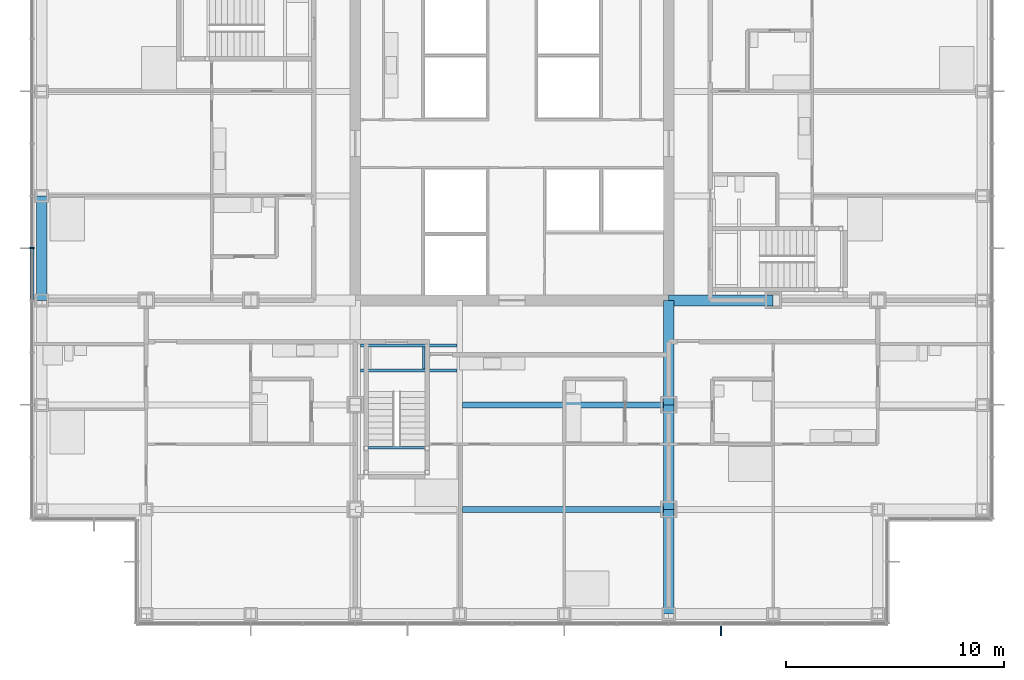
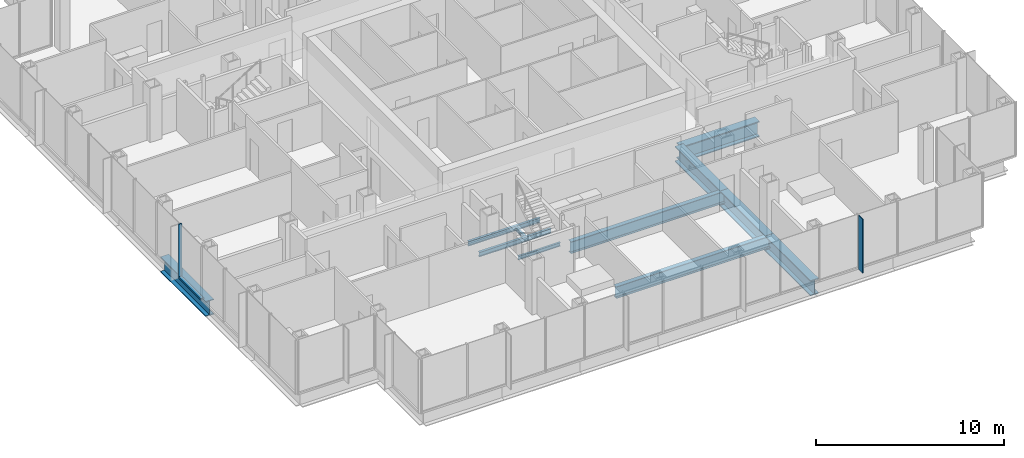
# One storey, part 7 of 21: 11 beams, 3 members, 2 elements without a shape of their own.
"""IFC4 building model written with IfcOpenShell, lengths in metres."""

import ifcopenshell
import ifcopenshell.guid

model = None  # the IFC model being written
_history = None  # IfcOwnerHistory: only IFC2X3 demands one
_inside = {}  # id of a spatial element -> (the spatial element, [elements in it])
_under = {}  # id of a project, library or spatial element -> (it, [spatial elements below it])
_declared = {}  # id of a project -> (the project, [libraries it declares])
_typed = {}  # id of a type object -> (the type object, [elements of that type])
_made_of = {}  # id of a material, layer set ... -> (it, [elements and type objects made of it])


def new_model(schema):
    """Start an empty IFC model of exactly this schema.

    Asked for "IFC4X3", IfcOpenShell would pick the latest addendum, in which some entities
    have other attributes; the version numbers below select the first issue.
    IFC2X3 requires an IfcOwnerHistory on every rooted entity: one is made here for all.
    """
    global model, _history
    if schema == "IFC4X3":
        model = ifcopenshell.file(schema_version=(4, 3, 0, 0))
    else:
        model = ifcopenshell.file(schema=schema)
    _inside.clear()
    _under.clear()
    _declared.clear()
    _typed.clear()
    _made_of.clear()
    _history = None
    if model.schema == "IFC2X3":
        org = make("IfcOrganization", Name="unknown")
        user = make(
            "IfcPersonAndOrganization",
            ThePerson=make("IfcPerson", FamilyName="unknown"),
            TheOrganization=org,
        )
        app = make(
            "IfcApplication",
            ApplicationDeveloper=org,
            Version="unknown",
            ApplicationFullName="unknown",
            ApplicationIdentifier="unknown",
        )
        _history = make(
            "IfcOwnerHistory",
            OwningUser=user,
            OwningApplication=app,
            ChangeAction="ADDED",
            CreationDate=0,
        )
    return model


def make(cls, **values):
    """One entity of the class cls with the attributes given. An attribute that is None is left unset."""
    return model.create_entity(
        cls, **{name: value for name, value in values.items() if value is not None}
    )


def rooted(cls, **values):
    """An entity with a GlobalId (a new one), such as an element, a storey or a relation."""
    return make(cls, GlobalId=ifcopenshell.guid.new(), OwnerHistory=_history, **values)


def si_unit(unit_type, name, prefix=None):
    """IfcSIUnit, for example si_unit("LENGTHUNIT", "METRE", prefix="MILLI")."""
    return make("IfcSIUnit", UnitType=unit_type, Prefix=prefix, Name=name)


def assignment(units):
    """IfcUnitAssignment: the units of a project."""
    return None if units is None else make("IfcUnitAssignment", Units=units)


def point(xyz):
    """IfcCartesianPoint."""
    return None if xyz is None else make("IfcCartesianPoint", Coordinates=xyz)


def direction(xyz):
    """IfcDirection."""
    return None if xyz is None else make("IfcDirection", DirectionRatios=xyz)


def frame(location, z_axis=None, x_axis=None):
    """IfcAxis2Placement3D, a coordinate frame: its origin and axes. An axis left out is left unset."""
    return make(
        "IfcAxis2Placement3D",
        Location=point(location),
        Axis=direction(z_axis),
        RefDirection=direction(x_axis),
    )


def frame_2d(location, x_axis=None):
    """IfcAxis2Placement2D, a coordinate frame in the plane: its origin and x axis."""
    return make(
        "IfcAxis2Placement2D", Location=point(location), RefDirection=direction(x_axis)
    )


def origin():
    """The frame at (0, 0, 0) with its axes left unset."""
    return frame((0.0, 0.0, 0.0))


def origin_2d():
    """The frame at (0, 0) in the plane with its x axis left unset."""
    return frame_2d((0.0, 0.0))


def place(relative_to, where):
    """IfcLocalPlacement: puts the frame where relative to a parent placement (None: the world)."""
    return make(
        "IfcLocalPlacement", PlacementRelTo=relative_to, RelativePlacement=where
    )


def context(
    kind, dimensions, precision=None, world=None, true_north=None, identifier=None
):
    """IfcGeometricRepresentationContext, for example the 3D "Model" context."""
    return make(
        "IfcGeometricRepresentationContext",
        ContextIdentifier=identifier,
        ContextType=kind,
        CoordinateSpaceDimension=dimensions,
        Precision=precision,
        WorldCoordinateSystem=world,
        TrueNorth=true_north,
    )


def subcontext(parent, identifier, kind, view, scale=None):
    """IfcGeometricRepresentationSubContext, for example "Body" below "Model"."""
    return make(
        "IfcGeometricRepresentationSubContext",
        ContextIdentifier=identifier,
        ContextType=kind,
        ParentContext=parent,
        TargetScale=scale,
        TargetView=view,
    )


def project(units=None, contexts=None):
    """IfcProject with its units and contexts."""
    return rooted(
        "IfcProject",
        Name="project",
        RepresentationContexts=contexts,
        UnitsInContext=assignment(units),
    )


def spatial(cls, under=None, at=None, **own):
    """A site, building, storey or space (cls), placed at a placement, below another one or the project."""
    s = rooted(cls, ObjectPlacement=at, **own)
    if under is not None:
        _under.setdefault(under.id(), (under, []))[1].append(s)
    return s


def profile(cls, at=None, kind="AREA", **sizes):
    """A parametric profile (cls). Its sizes go by their IFC names, for example OverallWidth=200.0."""
    return make(cls, ProfileType=kind, Position=at, **sizes)


def rectangle(**sizes):
    """IfcRectangleProfileDef."""
    return profile("IfcRectangleProfileDef", **sizes)


def i_section(**sizes):
    """IfcIShapeProfileDef."""
    return profile("IfcIShapeProfileDef", **sizes)


def extrude(swept, where, along, depth):
    """IfcExtrudedAreaSolid: the profile swept, set in the frame where, extruded along a direction by depth."""
    return make(
        "IfcExtrudedAreaSolid",
        SweptArea=swept,
        Position=where,
        ExtrudedDirection=direction(along),
        Depth=depth,
    )


def shape(context_of_items, identifier, shape_type, items):
    """IfcShapeRepresentation: the items that make up one representation, for example the "Body"."""
    return make(
        "IfcShapeRepresentation",
        ContextOfItems=context_of_items,
        RepresentationIdentifier=identifier,
        RepresentationType=shape_type,
        Items=items,
    )


def material(Name=None, Category=None):
    """IfcMaterial."""
    return make("IfcMaterial", Name=Name, Category=Category)


def material_profile(
    of_material, cross_section, Name=None, Category=None, Priority=None
):
    """IfcMaterialProfile: a cross section and its material."""
    return make(
        "IfcMaterialProfile",
        Name=Name,
        Material=of_material,
        Profile=cross_section,
        Priority=Priority,
        Category=Category,
    )


def profile_set(profiles, Name=None, composite=None):
    """IfcMaterialProfileSet."""
    return make(
        "IfcMaterialProfileSet",
        Name=Name,
        MaterialProfiles=profiles,
        CompositeProfile=composite,
    )


def made_of(thing, what):
    """Note that an element or type object is made of a material, layer set ...; save() writes the relation."""
    if what is not None:
        _made_of.setdefault(what.id(), (what, []))[1].append(thing)
    return thing


def type_object(cls, material=None, **own):
    """A type object (cls), such as IfcWallType, which elements share."""
    return made_of(rooted(cls, **own), material)


def element(
    cls,
    number,
    at=None,
    inside=None,
    cuts=None,
    type_object=None,
    material=None,
    context=None,
    identifier="Body",
    shape_type=None,
    held_by="IfcProductDefinitionShape",
    body=None,
    shapes=None,
    **own,
):
    """One element of the class cls, such as IfcWall. Its Tag is "e" and its number.

    at: its placement. inside: the storey or other place that contains it. cuts: it is an
    opening in that element (IfcRelVoidsElement). A single representation is given by context,
    identifier, shape_type and body (its items); several are given by shapes. held_by: the class
    of the entity that holds the representations. save() writes the other relations.
    """
    e = rooted(cls, Tag="e%d" % number, ObjectPlacement=at, **own)
    if body is not None:
        shapes = [shape(context, identifier, shape_type, body)]
    if shapes is not None:
        e.Representation = make(held_by, Representations=shapes)
    if inside is not None:
        _inside.setdefault(inside.id(), (inside, []))[1].append(e)
    if cuts is not None:
        rooted(
            "IfcRelVoidsElement", RelatingBuildingElement=cuts, RelatedOpeningElement=e
        )
    if type_object is not None:
        _typed.setdefault(type_object.id(), (type_object, []))[1].append(e)
    return made_of(e, material)


def aggregate(whole, parts):
    """IfcRelAggregates: a whole, such as a stair, and the parts it consists of."""
    return rooted("IfcRelAggregates", RelatingObject=whole, RelatedObjects=parts)


def save(model, path):
    """Write the relations noted so far, then the file.

    IfcRelAggregates (storeys below a building ...), IfcRelContainedInSpatialStructure (elements
    in a storey), IfcRelDefinesByType, IfcRelAssociatesMaterial and IfcRelDeclares: one each for
    every whole, place, type object, material and project.
    """
    for whole, parts in _under.values():
        aggregate(whole, parts)
    for where, things in _inside.values():
        rooted(
            "IfcRelContainedInSpatialStructure",
            RelatedElements=things,
            RelatingStructure=where,
        )
    for kind, things in _typed.values():
        rooted("IfcRelDefinesByType", RelatedObjects=things, RelatingType=kind)
    for what, things in _made_of.values():
        rooted("IfcRelAssociatesMaterial", RelatedObjects=things, RelatingMaterial=what)
    for by, libraries in _declared.values():
        rooted("IfcRelDeclares", RelatingContext=by, RelatedDefinitions=libraries)
    model.write(path)


model = new_model("IFC4")

# Units and contexts
model_context = context("Model", 3, precision=1e-05, world=origin(), true_north=direction((0.0, 1.0)))
body_context = subcontext(model_context, "Body", "Model", "MODEL_VIEW")
ifc_project = project(units=[si_unit("LENGTHUNIT", "METRE"), si_unit("AREAUNIT", "SQUARE_METRE"), si_unit("VOLUMEUNIT", "CUBIC_METRE"), si_unit("PLANEANGLEUNIT", "RADIAN"), si_unit("MASSUNIT", "GRAM", prefix="KILO")], contexts=[model_context])

# Site, building, storey
site_placement = place(None, origin())
site = spatial("IfcSite", under=ifc_project, at=site_placement, CompositionType="ELEMENT")
building_placement = place(site_placement, origin())
building = spatial("IfcBuilding", under=site, at=building_placement, Name="Kvirike Care Tower", CompositionType="ELEMENT")
storey_placement = place(building_placement, frame((0.0, 0.0, 65.5)))
storey = spatial("IfcBuildingStorey", under=building, at=storey_placement, Name="L17", CompositionType="ELEMENT", Elevation=65.5)

# Curtain wall, member
ifc_material_1 = material(Name="Anodised aluminium stick system", Category="aluminium")
curtain_wall_type = type_object("IfcCurtainWallType", Name="CW-A STICK CURTAIN WALL", PredefinedType="NOTDEFINED", material=ifc_material_1)
curtain_wall_1_placement = place(storey_placement, origin())
curtain_wall_1 = element("IfcCurtainWall", 1, at=curtain_wall_1_placement, inside=storey, type_object=curtain_wall_type, Name="Curtain wall L17 face 4", PredefinedType="NOTDEFINED")
ifc_material_2 = material(Name="Bronze anodised aluminium fin", Category="aluminium")
ifc_material_profile_1 = material_profile(ifc_material_2, rectangle(XDim=0.050048828125, YDim=0.449951171875, at=origin_2d()), Name="BRONZE FIN 450")
ifc_profile_set_1 = profile_set([ifc_material_profile_1], Name="Bronze anodised aluminium fin")
member_type_1 = type_object("IfcMemberType", Name="BRONZE FIN 450", PredefinedType="USERDEFINED", material=ifc_profile_set_1)
member_1_placement = place(storey_placement, frame((31.199951171875, 13.625, 0.0), z_axis=(0.0, 0.0, 1.0), x_axis=(1.0, 0.0, 0.0)))
member_1 = element("IfcMember", 2, at=member_1_placement, type_object=member_type_1, Name="Bronze fin L17 face 4.12", ObjectType="FIN", PredefinedType="USERDEFINED", context=body_context, shape_type="SweptSolid", body=[
    extrude(rectangle(XDim=0.050048828125, YDim=0.449951171875, at=origin_2d()), origin(), (0.0, 0.0, 1.0), 3.5),
])
aggregate(curtain_wall_1, [member_1])

# Curtain wall, members
curtain_wall_2_placement = place(storey_placement, origin())
curtain_wall_2 = element("IfcCurtainWall", 3, at=curtain_wall_2_placement, inside=storey, type_object=curtain_wall_type, Name="Curtain wall L17 face 1", PredefinedType="NOTDEFINED")
ifc_material_3 = material(Name="Bronze anodised aluminium mullion", Category="aluminium")
ifc_material_profile_2 = material_profile(ifc_material_3, rectangle(XDim=0.06494140625, YDim=0.199951171875, at=origin_2d()), Name="CW-A MULLION 65x200")
ifc_profile_set_2 = profile_set([ifc_material_profile_2], Name="Bronze anodised aluminium mullion")
member_type_2 = type_object("IfcMemberType", Name="CW-A MULLION 65x200", PredefinedType="MULLION", material=ifc_profile_set_2)
member_2_placement = place(storey_placement, frame((-0.449951171875, 31.199951171875, 0.0), z_axis=(0.0, 0.0, 1.0), x_axis=(0.0, -1.0, 0.0)))
member_2 = element("IfcMember", 4, at=member_2_placement, type_object=member_type_2, Name="CW-A mullion L17 face 1.10", PredefinedType="MULLION", context=body_context, shape_type="SweptSolid", body=[
    extrude(rectangle(XDim=0.06494140625, YDim=0.199951171875, at=origin_2d()), origin(), (0.0, 0.0, 1.0), 3.5),
])
ifc_material_4 = material(Name="Bronze anodised aluminium transom", Category="aluminium")
ifc_material_profile_3 = material_profile(ifc_material_4, rectangle(XDim=0.199951171875, YDim=0.10009765625, at=origin_2d()), Name="CW-A TRANSOM 200x100")
ifc_profile_set_3 = profile_set([ifc_material_profile_3], Name="Bronze anodised aluminium transom")
member_type_3 = type_object("IfcMemberType", Name="CW-A TRANSOM 200x100", PredefinedType="USERDEFINED", material=ifc_profile_set_3)
member_3_placement = place(storey_placement, frame((-0.449951171875, 31.16748046875, 0.050048828125), z_axis=(0.0, -1.0, 0.0), x_axis=(1.0, 0.0, 0.0)))
member_3 = element("IfcMember", 5, at=member_3_placement, type_object=member_type_3, Name="CW-A sill transom L17 face 1.10", ObjectType="TRANSOM", PredefinedType="USERDEFINED", context=body_context, shape_type="SweptSolid", body=[
    extrude(rectangle(XDim=0.199951171875, YDim=0.10009765625, at=origin_2d()), origin(), (0.0, 0.0, 1.0), 2.3349609375),
])
aggregate(curtain_wall_2, [member_2, member_3])

# Beams
ifc_material_5 = material(Name="Steel S355", Category="steel")
ifc_material_profile_4 = material_profile(ifc_material_5, i_section(OverallWidth=0.26806640625, OverallDepth=0.77001953125, WebThickness=0.015625, FlangeThickness=0.025390625, FilletRadius=0.01708984375, at=origin_2d()), Name="IPE 750x196")
ifc_profile_set_4 = profile_set([ifc_material_profile_4], Name="Steel S355")
beam_type_1 = type_object("IfcBeamType", Name="FLOOR BEAM IPE 750x196", PredefinedType="BEAM", material=ifc_profile_set_4)
for number, where, z_axis, x_axis, name in (
    (6, (19.333984375, 19.199951171875, -0.554931640625), (1.0, 0.0, 0.0), (0.0, 1.0, 0.0), "Floor Beam E7-E9 L17"),
    (7, (19.333984375, 24.0, -0.554931640625), (1.0, 0.0, 0.0), (0.0, 1.0, 0.0), "Floor Beam F7-F9 L17"),
):
    element("IfcBeam", number, at=place(storey_placement, frame(where, z_axis=z_axis, x_axis=x_axis)), inside=storey, type_object=beam_type_1, Name=name, PredefinedType="BEAM", context=body_context, shape_type="SweptSolid", body=[
        extrude(i_section(OverallWidth=0.26806640625, OverallDepth=0.77001953125, WebThickness=0.015625, FlangeThickness=0.025390625, FilletRadius=0.01708984375, at=origin_2d()), origin(), (0.0, 0.0, 1.0), 9.466064453125),
    ])
ifc_material_6 = material(Name="Steel S355", Category="steel")
ifc_material_profile_5 = material_profile(ifc_material_6, i_section(OverallWidth=0.5, OverallDepth=1.0, WebThickness=0.030029296875, FlangeThickness=0.06005859375, at=origin_2d()), Name="PG 1000x500x30x60")
ifc_profile_set_5 = profile_set([ifc_material_profile_5], Name="Steel S355")
beam_type_2 = type_object("IfcBeamType", Name="FRAME BEAM PG 1000x500x30x60", PredefinedType="BEAM", material=ifc_profile_set_5)
for number, where, z_axis, x_axis, name in (
    (8, (28.800048828125, 28.800048828125, -0.669921875), (1.0, 0.0, 0.0), (0.0, 1.0, 0.0), "Frame Beam G9-G10 L17"),
    (9, (28.800048828125, 14.39990234375, -0.669921875), (0.0, 1.0, 0.0), (-1.0, 0.0, 0.0), "Frame Beam D9-E9 L17"),
    (10, (28.800048828125, 19.199951171875, -0.669921875), (0.0, 1.0, 0.0), (-1.0, 0.0, 0.0), "Frame Beam E9-F9 L17"),
    (11, (28.800048828125, 24.0, -0.669921875), (0.0, 1.0, 0.0), (-1.0, 0.0, 0.0), "Frame Beam F9-G9 L17"),
):
    element("IfcBeam", number, at=place(storey_placement, frame(where, z_axis=z_axis, x_axis=x_axis)), inside=storey, type_object=beam_type_2, Name=name, PredefinedType="BEAM", context=body_context, shape_type="SweptSolid", body=[
        extrude(i_section(OverallWidth=0.5, OverallDepth=1.0, WebThickness=0.030029296875, FlangeThickness=0.06005859375, at=origin_2d()), origin(), (0.0, 0.0, 1.0), 4.800048828125),
    ])
ifc_material_7 = material(Name="Steel S355", Category="steel")
ifc_material_profile_6 = material_profile(ifc_material_7, i_section(OverallWidth=0.5, OverallDepth=1.0, WebThickness=0.030029296875, FlangeThickness=0.06005859375, at=origin_2d()), Name="PG 1000x500x30x60")
ifc_profile_set_6 = profile_set([ifc_material_profile_6], Name="Steel S355")
beam_type_3 = type_object("IfcBeamType", Name="SPANDREL PG 1000x500x30x60", PredefinedType="SPANDREL", material=ifc_profile_set_6)
beam_1_placement = place(storey_placement, frame((0.0, 28.800048828125, -0.669921875), z_axis=(0.0, 1.0, 0.0), x_axis=(-1.0, 0.0, 0.0)))
element("IfcBeam", 12, at=beam_1_placement, inside=storey, type_object=beam_type_3, Name="Spandrel G3-H3 L17", PredefinedType="SPANDREL", context=body_context, shape_type="SweptSolid", body=[
    extrude(i_section(OverallWidth=0.5, OverallDepth=1.0, WebThickness=0.030029296875, FlangeThickness=0.06005859375, at=origin_2d()), origin(), (0.0, 0.0, 1.0), 4.800048828125),
])
ifc_material_8 = material(Name="Steel S355", Category="steel")
ifc_material_profile_7 = material_profile(ifc_material_8, i_section(OverallWidth=0.1201171875, OverallDepth=0.239990234375, WebThickness=0.006103515625, FlangeThickness=0.009765625, FilletRadius=0.014892578125, at=origin_2d()), Name="IPE 240")
ifc_profile_set_7 = profile_set([ifc_material_profile_7], Name="Steel S355")
beam_type_4 = type_object("IfcBeamType", Name="STAIR LANDING BEAM IPE 240", PredefinedType="BEAM", material=ifc_profile_set_7)
beam_2_placement = place(storey_placement, frame((15.0, 22.0400390625, 1.429931640625), z_axis=(1.0, 0.0, 0.0), x_axis=(0.0, 1.0, 0.0)))
element("IfcBeam", 13, at=beam_2_placement, inside=storey, type_object=beam_type_4, Name="Stair 5 landing beam front L17", PredefinedType="BEAM", context=body_context, shape_type="SweptSolid", body=[
    extrude(i_section(OverallWidth=0.1201171875, OverallDepth=0.239990234375, WebThickness=0.006103515625, FlangeThickness=0.009765625, FilletRadius=0.014892578125, at=origin_2d()), origin(), (0.0, 0.0, 1.0), 2.60009765625),
])
beam_3_placement = place(storey_placement, frame((17.5400390625, 25.64990234375, -0.320068359375), z_axis=(0.0, 1.0, 0.0), x_axis=(-1.0, 0.0, 0.0)))
element("IfcBeam", 14, at=beam_3_placement, inside=storey, type_object=beam_type_4, Name="Stair 5 landing edge beam 2 L17", PredefinedType="BEAM", context=body_context, shape_type="SweptSolid", body=[
    extrude(i_section(OverallWidth=0.1201171875, OverallDepth=0.239990234375, WebThickness=0.006103515625, FlangeThickness=0.009765625, FilletRadius=0.014892578125, at=origin_2d()), origin(), (0.0, 0.0, 1.0), 1.0),
])
ifc_material_9 = material(Name="Steel S355", Category="steel")
ifc_material_profile_8 = material_profile(ifc_material_9, i_section(OverallWidth=0.14990234375, OverallDepth=0.300048828125, WebThickness=0.007080078125, FlangeThickness=0.0107421875, FilletRadius=0.014892578125, at=origin_2d()), Name="IPE 300")
ifc_profile_set_8 = profile_set([ifc_material_profile_8], Name="Steel S355")
beam_type_5 = type_object("IfcBeamType", Name="STAIR TRIMMER IPE 300", PredefinedType="BEAM", material=ifc_profile_set_8)
for number, where, z_axis, x_axis, name in (
    (15, (14.64990234375, 25.574951171875, -0.35009765625), (1.0, 0.0, 0.0), (0.0, 1.0, 0.0), "Stair 5 trimmer 1 L17"),
    (16, (14.64990234375, 26.72509765625, -0.35009765625), (1.0, 0.0, 0.0), (0.0, 1.0, 0.0), "Stair 5 trimmer 2 L17"),
):
    element("IfcBeam", number, at=place(storey_placement, frame(where, z_axis=z_axis, x_axis=x_axis)), inside=storey, type_object=beam_type_5, Name=name, PredefinedType="BEAM", context=body_context, shape_type="SweptSolid", body=[
        extrude(i_section(OverallWidth=0.14990234375, OverallDepth=0.300048828125, WebThickness=0.007080078125, FlangeThickness=0.0107421875, FilletRadius=0.014892578125, at=origin_2d()), origin(), (0.0, 0.0, 1.0), 4.416015625),
    ])

save(model, "model.ifc")
